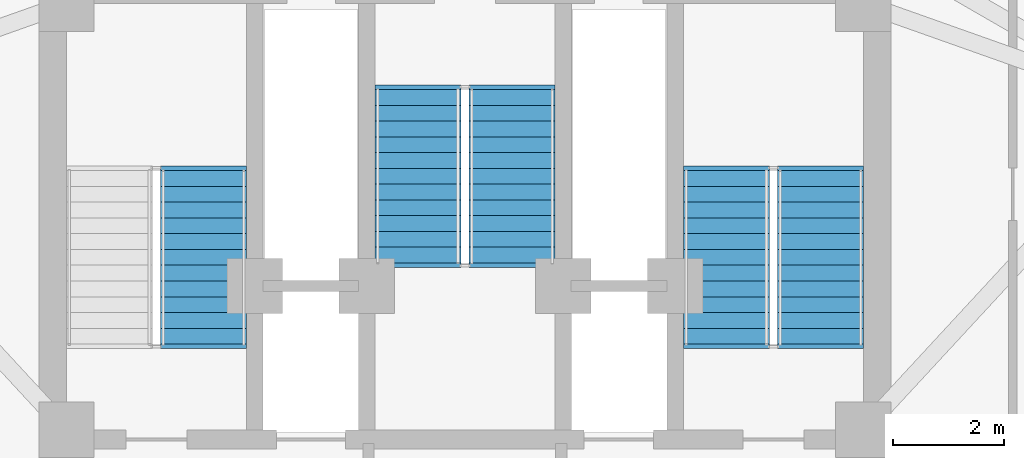
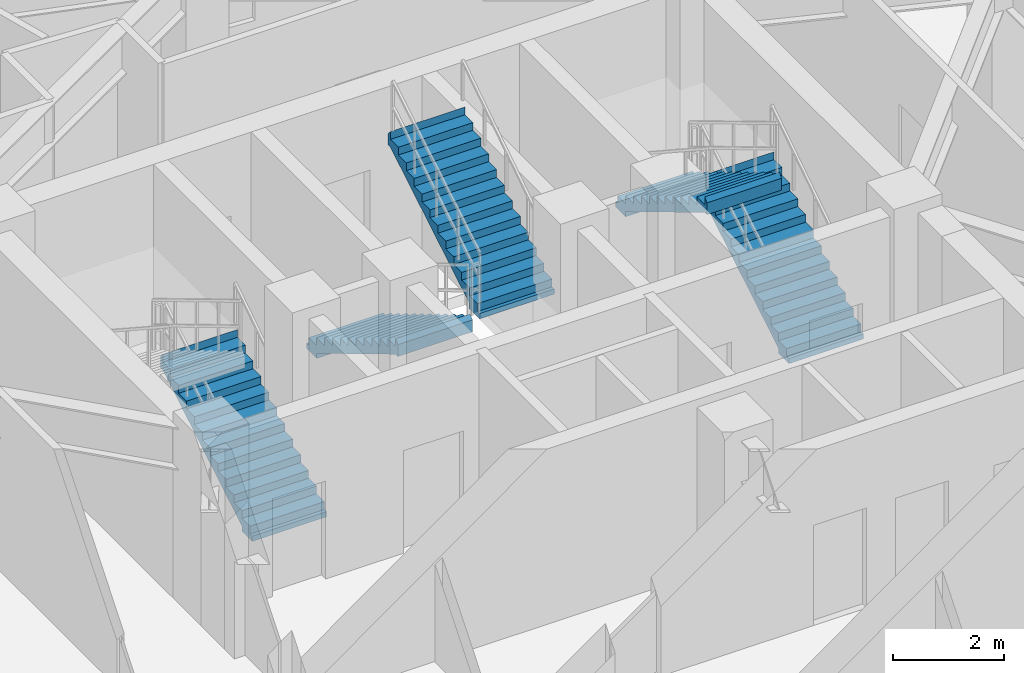
# One storey, part 8 of 10: 5 stair flights, 3 elements without a shape of their own.
"""IFC4 building model written with IfcOpenShell, lengths in metres."""

from ifc_helpers import new_model, si_unit, direction, frame, origin, place, context, subcontext, project, spatial, polyline, outline, extrude, material, type_object, element, aggregate, save


model = new_model("IFC4")

# Units and contexts
model_context = context("Model", 3, precision=1e-05, world=origin(), true_north=direction((0.0, 1.0)))
body_context = subcontext(model_context, "Body", "Model", "MODEL_VIEW")
ifc_project = project(units=[si_unit("LENGTHUNIT", "METRE"), si_unit("AREAUNIT", "SQUARE_METRE"), si_unit("VOLUMEUNIT", "CUBIC_METRE"), si_unit("PLANEANGLEUNIT", "RADIAN"), si_unit("MASSUNIT", "GRAM", prefix="KILO")], contexts=[model_context])

# Site, building, storey
site_placement = place(None, origin())
site = spatial("IfcSite", under=ifc_project, at=site_placement, CompositionType="ELEMENT")
building_placement = place(site_placement, origin())
building = spatial("IfcBuilding", under=site, at=building_placement, Name="Apsidion Concourse Tower", CompositionType="ELEMENT")
storey_placement = place(building_placement, frame((0.0, 0.0, 310.60009765625)))
storey = spatial("IfcBuildingStorey", under=building, at=storey_placement, Name="L73", CompositionType="ELEMENT", Elevation=310.60009765625)

# Stair, stair flight
ifc_material = material(Name="Precast concrete C40/50", Category="concrete")
stair_type = type_object("IfcStairType", Name="ST-DL-1550", PredefinedType="HALF_TURN_STAIR", material=ifc_material)
stair_1_placement = place(storey_placement, origin())
stair_1 = element("IfcStair", 1, at=stair_1_placement, inside=storey, type_object=stair_type, Name="L73 Protected Core Exit Stair ST1", PredefinedType="HALF_TURN_STAIR")
stair_flight_type = type_object("IfcStairFlightType", Name="SFL-RC-1550", PredefinedType="STRAIGHT", material=ifc_material)
stair_flight_1_placement = place(storey_placement, frame((-4.72509765625, 3.0, 0.0), z_axis=(0.0, 0.0, 1.0), x_axis=(0.0, 1.0, 0.0)))
stair_flight_1 = element("IfcStairFlight", 2, at=stair_flight_1_placement, type_object=stair_flight_type, Name="ST1 flight 1", NumberOfRisers=12, NumberOfTreads=11, PredefinedType="STRAIGHT", RiserHeight=0.170833333, TreadLength=0.285, context=body_context, shape_type="SweptSolid", body=[
    extrude(outline(polyline([(-0.080078125, -0.1123046875), (-0.080078125, 0.0), (0.0, 0.0), (0.0, 0.1708984375), (0.284912109375, 0.1708984375), (0.284912109375, 0.341552734375), (0.570068359375, 0.341552734375), (0.570068359375, 0.512451171875), (0.85498046875, 0.512451171875), (0.85498046875, 0.683349609375), (1.139892578125, 0.683349609375), (1.139892578125, 0.854248046875), (1.425048828125, 0.854248046875), (1.425048828125, 1.02490234375), (1.7099609375, 1.02490234375), (1.7099609375, 1.19580078125), (1.9951171875, 1.19580078125), (1.9951171875, 1.36669921875), (2.280029296875, 1.36669921875), (2.280029296875, 1.53759765625), (2.56494140625, 1.53759765625), (2.56494140625, 1.708251953125), (2.85009765625, 1.708251953125), (2.85009765625, 1.879150390625), (3.135009765625, 1.879150390625), (3.135009765625, 2.050048828125), (3.215087890625, 1.964599609375), (3.215087890625, 1.704345703125), (3.135009765625, 1.704345703125), (0.29150390625, 0.0), (0.29150390625, -0.1123046875), (-0.080078125, -0.1123046875)])), frame((0.0, 0.77490234375, 0.0), z_axis=(0.0, -1.0, 0.0), x_axis=(1.0, 0.0, 0.0)), (0.0, 0.0, 1.0), 1.550048828125),
])
aggregate(stair_1, [stair_flight_1])

# Stair, stair flights
stair_2_placement = place(storey_placement, origin())
stair_2 = element("IfcStair", 3, at=stair_2_placement, inside=storey, type_object=stair_type, Name="L73 Protected Core Exit Stair ST2", PredefinedType="HALF_TURN_STAIR")
stair_flight_2_placement = place(storey_placement, frame((6.425048828125, 3.0, 0.0), z_axis=(0.0, 0.0, 1.0), x_axis=(0.0, 1.0, 0.0)))
stair_flight_2 = element("IfcStairFlight", 4, at=stair_flight_2_placement, type_object=stair_flight_type, Name="ST2 flight 1", NumberOfRisers=12, NumberOfTreads=11, PredefinedType="STRAIGHT", RiserHeight=0.170833333, TreadLength=0.285, context=body_context, shape_type="SweptSolid", body=[
    extrude(outline(polyline([(-0.080078125, -0.1123046875), (-0.080078125, 0.0), (0.0, 0.0), (0.0, 0.1708984375), (0.284912109375, 0.1708984375), (0.284912109375, 0.341552734375), (0.570068359375, 0.341552734375), (0.570068359375, 0.512451171875), (0.85498046875, 0.512451171875), (0.85498046875, 0.683349609375), (1.139892578125, 0.683349609375), (1.139892578125, 0.854248046875), (1.425048828125, 0.854248046875), (1.425048828125, 1.02490234375), (1.7099609375, 1.02490234375), (1.7099609375, 1.19580078125), (1.9951171875, 1.19580078125), (1.9951171875, 1.36669921875), (2.280029296875, 1.36669921875), (2.280029296875, 1.53759765625), (2.56494140625, 1.53759765625), (2.56494140625, 1.708251953125), (2.85009765625, 1.708251953125), (2.85009765625, 1.879150390625), (3.135009765625, 1.879150390625), (3.135009765625, 2.050048828125), (3.215087890625, 1.964599609375), (3.215087890625, 1.704345703125), (3.135009765625, 1.704345703125), (0.29150390625, 0.0), (0.29150390625, -0.1123046875), (-0.080078125, -0.1123046875)])), frame((0.0, 0.77490234375, 0.0), z_axis=(0.0, -1.0, 0.0), x_axis=(1.0, 0.0, 0.0)), (0.0, 0.0, 1.0), 1.550048828125),
])
stair_flight_3_placement = place(storey_placement, frame((4.72509765625, 6.135009765625, 2.0498046875), z_axis=(0.0, 0.0, 1.0), x_axis=(0.0, -1.0, 0.0)))
stair_flight_3 = element("IfcStairFlight", 5, at=stair_flight_3_placement, type_object=stair_flight_type, Name="ST2 flight 2", NumberOfRisers=12, NumberOfTreads=11, PredefinedType="STRAIGHT", RiserHeight=0.170833333, TreadLength=0.285, context=body_context, shape_type="SweptSolid", body=[
    extrude(outline(polyline([(-0.080078125, -0.1123046875), (-0.080078125, 0.0), (0.0, 0.0), (0.0, 0.1708984375), (0.284912109375, 0.1708984375), (0.284912109375, 0.341552734375), (0.570068359375, 0.341552734375), (0.570068359375, 0.512451171875), (0.85498046875, 0.512451171875), (0.85498046875, 0.683349609375), (1.139892578125, 0.683349609375), (1.139892578125, 0.854248046875), (1.425048828125, 0.854248046875), (1.425048828125, 1.02490234375), (1.7099609375, 1.02490234375), (1.7099609375, 1.19580078125), (1.9951171875, 1.19580078125), (1.9951171875, 1.36669921875), (2.280029296875, 1.36669921875), (2.280029296875, 1.53759765625), (2.56494140625, 1.53759765625), (2.56494140625, 1.708251953125), (2.85009765625, 1.708251953125), (2.85009765625, 1.879150390625), (3.135009765625, 1.879150390625), (3.135009765625, 2.050048828125), (3.215087890625, 1.964599609375), (3.215087890625, 1.704345703125), (3.135009765625, 1.704345703125), (0.29150390625, 0.0), (0.29150390625, -0.1123046875), (-0.080078125, -0.1123046875)])), frame((0.0, 0.77490234375, 0.0), z_axis=(0.0, -1.0, 0.0), x_axis=(1.0, 0.0, 0.0)), (0.0, 0.0, 1.0), 1.550048828125),
])
aggregate(stair_2, [stair_flight_2, stair_flight_3])

stair_3_placement = place(storey_placement, origin())
stair_3 = element("IfcStair", 6, at=stair_3_placement, inside=storey, type_object=stair_type, Name="L73 Protected Core Exit Stair ST3", PredefinedType="HALF_TURN_STAIR")
stair_flight_4_placement = place(storey_placement, frame((-0.85009765625, 7.60009765625, 0.0), z_axis=(0.0, 0.0, 1.0), x_axis=(0.0, -1.0, 0.0)))
stair_flight_4 = element("IfcStairFlight", 7, at=stair_flight_4_placement, type_object=stair_flight_type, Name="ST3 flight 1", NumberOfRisers=12, NumberOfTreads=11, PredefinedType="STRAIGHT", RiserHeight=0.170833333, TreadLength=0.285, context=body_context, shape_type="SweptSolid", body=[
    extrude(outline(polyline([(-0.080078125, -0.1123046875), (-0.080078125, 0.0), (0.0, 0.0), (0.0, 0.1708984375), (0.284912109375, 0.1708984375), (0.284912109375, 0.341552734375), (0.570068359375, 0.341552734375), (0.570068359375, 0.512451171875), (0.85498046875, 0.512451171875), (0.85498046875, 0.683349609375), (1.139892578125, 0.683349609375), (1.139892578125, 0.854248046875), (1.425048828125, 0.854248046875), (1.425048828125, 1.02490234375), (1.7099609375, 1.02490234375), (1.7099609375, 1.19580078125), (1.9951171875, 1.19580078125), (1.9951171875, 1.36669921875), (2.280029296875, 1.36669921875), (2.280029296875, 1.53759765625), (2.56494140625, 1.53759765625), (2.56494140625, 1.708251953125), (2.85009765625, 1.708251953125), (2.85009765625, 1.879150390625), (3.135009765625, 1.879150390625), (3.135009765625, 2.050048828125), (3.215087890625, 1.964599609375), (3.215087890625, 1.704345703125), (3.135009765625, 1.704345703125), (0.29150390625, 0.0), (0.29150390625, -0.1123046875), (-0.080078125, -0.1123046875)])), frame((0.0, 0.77490234375, 0.0), z_axis=(0.0, -1.0, 0.0), x_axis=(1.0, 0.0, 0.0)), (0.0, 0.0, 1.0), 1.550048828125),
])
stair_flight_5_placement = place(storey_placement, frame((0.85009765625, 4.465087890625, 2.0498046875), z_axis=(0.0, 0.0, 1.0), x_axis=(0.0, 1.0, 0.0)))
stair_flight_5 = element("IfcStairFlight", 8, at=stair_flight_5_placement, type_object=stair_flight_type, Name="ST3 flight 2", NumberOfRisers=12, NumberOfTreads=11, PredefinedType="STRAIGHT", RiserHeight=0.170833333, TreadLength=0.285, context=body_context, shape_type="SweptSolid", body=[
    extrude(outline(polyline([(-0.080078125, -0.1123046875), (-0.080078125, 0.0), (0.0, 0.0), (0.0, 0.1708984375), (0.284912109375, 0.1708984375), (0.284912109375, 0.341552734375), (0.570068359375, 0.341552734375), (0.570068359375, 0.512451171875), (0.85498046875, 0.512451171875), (0.85498046875, 0.683349609375), (1.139892578125, 0.683349609375), (1.139892578125, 0.854248046875), (1.425048828125, 0.854248046875), (1.425048828125, 1.02490234375), (1.7099609375, 1.02490234375), (1.7099609375, 1.19580078125), (1.9951171875, 1.19580078125), (1.9951171875, 1.36669921875), (2.280029296875, 1.36669921875), (2.280029296875, 1.53759765625), (2.56494140625, 1.53759765625), (2.56494140625, 1.708251953125), (2.85009765625, 1.708251953125), (2.85009765625, 1.879150390625), (3.135009765625, 1.879150390625), (3.135009765625, 2.050048828125), (3.215087890625, 1.964599609375), (3.215087890625, 1.704345703125), (3.135009765625, 1.704345703125), (0.29150390625, 0.0), (0.29150390625, -0.1123046875), (-0.080078125, -0.1123046875)])), frame((0.0, 0.77490234375, 0.0), z_axis=(0.0, -1.0, 0.0), x_axis=(1.0, 0.0, 0.0)), (0.0, 0.0, 1.0), 1.550048828125),
])
aggregate(stair_3, [stair_flight_4, stair_flight_5])

save(model, "model.ifc")
